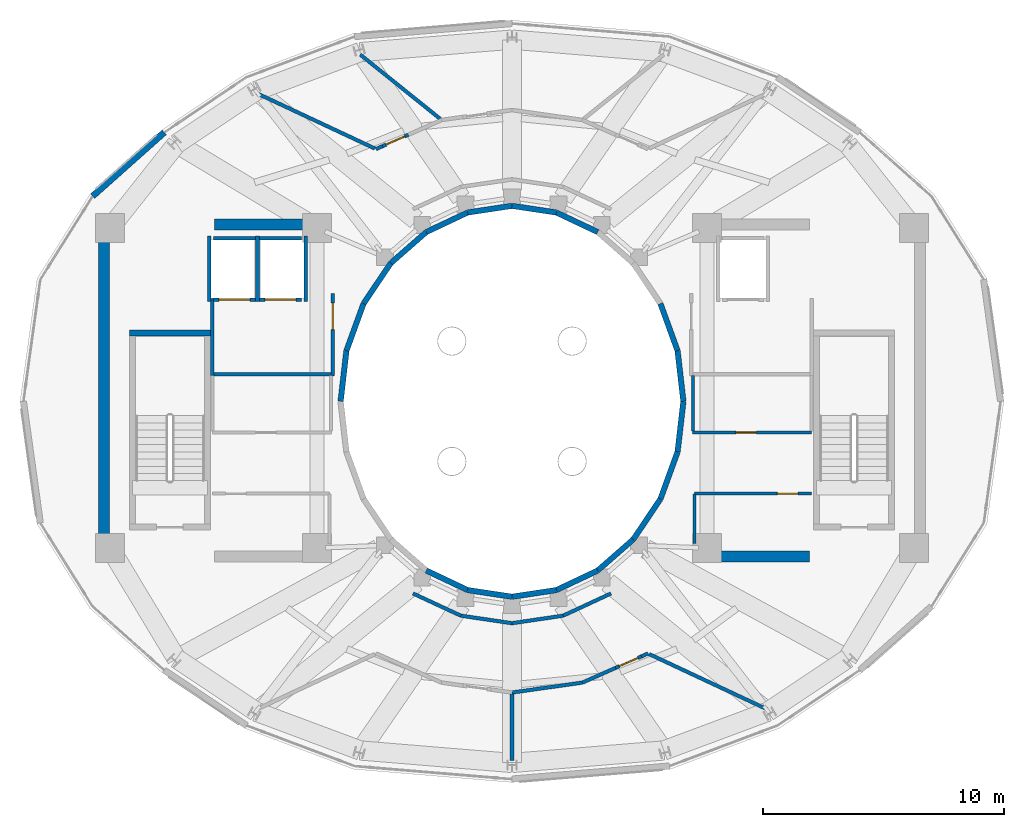
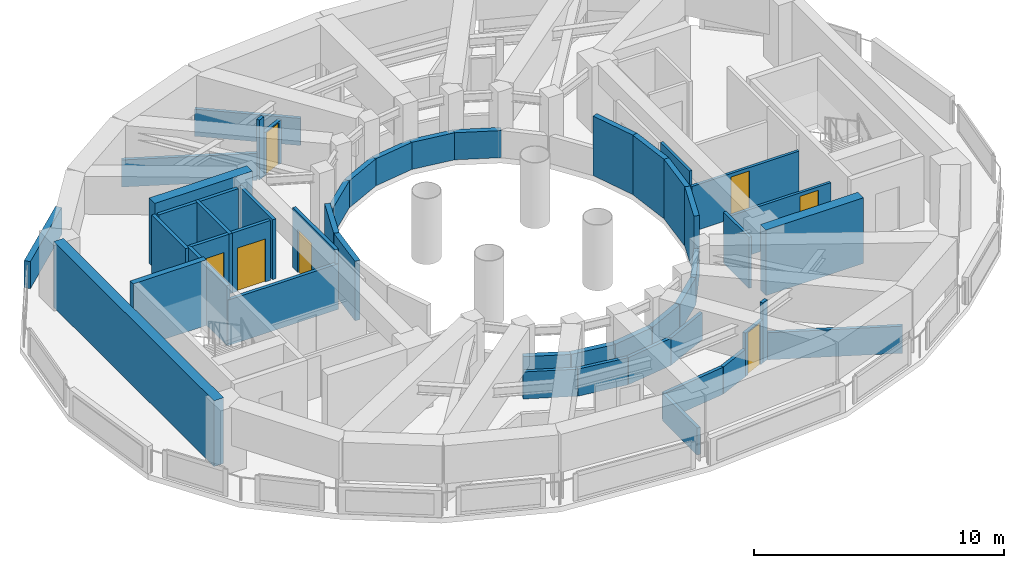
# One storey, part 13 of 17: 51 walls, 7 doors, 7 openings.
"""IFC4 building model written with IfcOpenShell, lengths in metres."""

from ifc_helpers import new_model, si_unit, direction, frame, frame_2d, origin, place, context, subcontext, project, spatial, rectangle, extrude, material, layer, layer_set, type_object, element, fill, save


model = new_model("IFC4")

# Units and contexts
model_context = context("Model", 3, precision=1e-05, world=origin(), true_north=direction((0.0, 1.0)))
body_context = subcontext(model_context, "Body", "Model", "MODEL_VIEW")
ifc_project = project(units=[si_unit("LENGTHUNIT", "METRE"), si_unit("AREAUNIT", "SQUARE_METRE"), si_unit("VOLUMEUNIT", "CUBIC_METRE"), si_unit("PLANEANGLEUNIT", "RADIAN"), si_unit("MASSUNIT", "GRAM", prefix="KILO")], contexts=[model_context])

# Site, building, storey
site_placement = place(None, origin())
site = spatial("IfcSite", under=ifc_project, at=site_placement, CompositionType="ELEMENT")
building_placement = place(site_placement, origin())
building = spatial("IfcBuilding", under=site, at=building_placement, Name="Solvane Sanctuary Tower", CompositionType="ELEMENT")
storey_placement = place(building_placement, frame((0.0, 0.0, 273.199951171875)))
storey = spatial("IfcBuildingStorey", under=building, at=storey_placement, Name="L83", CompositionType="ELEMENT", Elevation=273.199951171875)

# Walls
ifc_material_1 = material(Name="Concrete C50/60", Category="concrete")
ifc_layer_1 = layer(ifc_material_1, 0.449951171875, Name="Concrete C50/60")
ifc_layer_set_1 = layer_set([ifc_layer_1], Name="Concrete C50/60")
wall_type_1 = type_object("IfcWallType", Name="Wall W-CORE-450", PredefinedType="SHEAR", material=ifc_layer_set_1)
wall_1_placement = place(storey_placement, frame((15.050048828125, 17.050048828125, 0.0), z_axis=(0.0, 0.0, 1.0), x_axis=(0.0, 1.0, 0.0)))
element("IfcWall", 1, at=wall_1_placement, inside=storey, type_object=wall_type_1, Name="L83 Core Shear Wall WC-W", PredefinedType="SHEAR", context=body_context, shape_type="SweptSolid", body=[
    extrude(rectangle(XDim=12.800048828125, YDim=0.449951171875, at=frame_2d((6.39990234375, 0.0))), origin(), (0.0, 0.0, 1.0), 3.199951171875),
])
for number, where, z_axis, x_axis, name in (
    (2, (19.64990234375, 30.35009765625, 0.0), (0.0, 0.0, 1.0), (1.0, 0.0, 0.0), "L83 Core Shear Wall WC-N"),
    (3, (39.85009765625, 16.550048828125, 0.0), (0.0, 0.0, 1.0), (1.0, 0.0, 0.0), "L83 Core Shear Wall EC-S"),
):
    element("IfcWall", number, at=place(storey_placement, frame(where, z_axis=z_axis, x_axis=x_axis)), inside=storey, type_object=wall_type_1, Name=name, PredefinedType="SHEAR", context=body_context, shape_type="SweptSolid", body=[
        extrude(rectangle(XDim=4.5, YDim=0.449951171875, at=frame_2d((2.25, 0.0))), origin(), (0.0, 0.0, 1.0), 3.199951171875),
    ])
ifc_material_2 = material(Name="Acoustic Gypsum Partition Board")
ifc_layer_2 = layer(ifc_material_2, 0.14990234375, Name="Acoustic Gypsum Partition Board")
ifc_layer_set_2 = layer_set([ifc_layer_2], Name="Acoustic Gypsum Partition Board")
wall_type_2 = type_object("IfcWallType", Name="Wall W-CORR-150", PredefinedType="PARTITIONING", material=ifc_layer_set_2)
wall_2_placement = place(storey_placement, frame((19.52001953125, 24.1201171875, 0.0), z_axis=(0.0, 0.0, 1.0), x_axis=(1.0, 0.0, 0.0)))
element("IfcWall", 4, at=wall_2_placement, inside=storey, type_object=wall_type_2, Name="L83 West Firefighting Lobby South Wall", PredefinedType="PARTITIONING", context=body_context, shape_type="SweptSolid", body=[
    extrude(rectangle(XDim=5.080078125, YDim=0.14990234375, at=frame_2d((2.5400390625, 0.0))), origin(), (0.0, 0.0, 1.0), 2.219970703125),
])
wall_3_placement = place(storey_placement, frame((19.550048828125, 24.080078125, 0.0), z_axis=(0.0, 0.0, 1.0), x_axis=(0.0, 1.0, 0.0)))
element("IfcWall", 5, at=wall_3_placement, inside=storey, type_object=wall_type_2, Name="L83 West Firefighting Lobby West Wall", PredefinedType="PARTITIONING", context=body_context, shape_type="SweptSolid", body=[
    extrude(rectangle(XDim=3.199951171875, YDim=0.14990234375, at=frame_2d((1.60009765625, 0.0))), origin(), (0.0, 0.0, 1.0), 2.9150390625),
])

# Wall, opening, door
wall_4_placement = place(storey_placement, frame((24.550048828125, 24.080078125, 0.0), z_axis=(0.0, 0.0, 1.0), x_axis=(0.0, 1.0, 0.0)))
wall_4 = element("IfcWall", 6, at=wall_4_placement, inside=storey, type_object=wall_type_2, Name="L83 West Firefighting Lobby East Wall", PredefinedType="PARTITIONING", context=body_context, shape_type="SweptSolid", body=[
    extrude(rectangle(XDim=3.39990234375, YDim=0.14990234375, at=frame_2d((1.699951171875, 0.0))), origin(), (0.0, 0.0, 1.0), 2.9150390625),
])
opening_1_placement = place(wall_4_placement, frame((1.893798828125, 0.0, 0.0)))
opening_1 = element("IfcOpeningElement", 7, at=opening_1_placement, cuts=wall_4, Name="Opening D-L83-03", PredefinedType="OPENING", context=body_context, shape_type="SweptSolid", body=[
    extrude(rectangle(XDim=1.10009765625, YDim=2.10009765625, at=frame_2d((0.550048828125, 1.050048828125))), frame((0.0, 0.0849609375, 0.0), z_axis=(0.0, -1.0, 0.0), x_axis=(1.0, 0.0, 0.0)), (0.0, 0.0, 1.0), 0.169921875),
])
ifc_material_3 = material(Name="Architectural Stainless Steel 316", Category="steel")
door_type_1 = type_object("IfcDoorType", Name="Door D-FFL", OperationType="NOTDEFINED", PredefinedType="DOOR", material=ifc_material_3)
door_1_placement = place(opening_1_placement, origin())
door_1 = element("IfcDoor", 8, at=door_1_placement, inside=storey, type_object=door_type_1, Name="L83 West Firefighting Lobby Fire Door", OperationType="SINGLE_SWING_LEFT", OverallHeight=2.10009765625, OverallWidth=1.10009765625, PredefinedType="DOOR", context=body_context, shape_type="SweptSolid", body=[
    extrude(rectangle(XDim=1.10009765625, YDim=2.10009765625, at=frame_2d((0.550048828125, 1.050048828125))), frame((0.0, 0.02490234375, 0.0), z_axis=(0.0, -1.0, 0.0), x_axis=(1.0, 0.0, 0.0)), (0.0, 0.0, 1.0), 0.050048828125),
])
fill(opening_1, door_1)

# Walls
wall_5_placement = place(storey_placement, frame((27.889892578125, 15.01513671875, 0.0), z_axis=(0.0, 0.0, 1.0), x_axis=(0.906943449489, -0.421252393975, 0.0)))
element("IfcWall", 9, at=wall_5_placement, inside=storey, type_object=wall_type_2, Name="L83 Light-Well Corridor Rim Wall S1", PredefinedType="PARTITIONING", context=body_context, shape_type="SweptSolid", body=[
    extrude(rectangle(XDim=2.18603515625, YDim=0.14990234375, at=frame_2d((1.093017578125, 0.0))), origin(), (0.0, 0.0, 1.0), 1.320068359375),
])
for number, where, z_axis, x_axis, name in (
    (10, (29.87255859375, 14.09423828125, 0.0), (0.0, 0.0, 1.0), (0.989268584896, -0.146108408166, 0.0), "L83 Light-Well Corridor Rim Wall S2"),
    (11, (32.0, 13.780029296875, 0.0), (0.0, 0.0, 1.0), (0.989268584896, 0.146108408166, 0.0), "L83 Light-Well Corridor Rim Wall S3"),
):
    element("IfcWall", number, at=place(storey_placement, frame(where, z_axis=z_axis, x_axis=x_axis)), inside=storey, type_object=wall_type_2, Name=name, PredefinedType="PARTITIONING", context=body_context, shape_type="SweptSolid", body=[
        extrude(rectangle(XDim=2.150634765625, YDim=0.14990234375, at=frame_2d((1.0751953125, 0.0))), origin(), (0.0, 0.0, 1.0), 1.320068359375),
    ])
wall_6_placement = place(storey_placement, frame((34.12744140625, 14.09423828125, 0.0), z_axis=(0.0, 0.0, 1.0), x_axis=(0.906943449489, 0.421252393975, 0.0)))
element("IfcWall", 12, at=wall_6_placement, inside=storey, type_object=wall_type_2, Name="L83 Light-Well Corridor Rim Wall S4", PredefinedType="PARTITIONING", context=body_context, shape_type="SweptSolid", body=[
    extrude(rectangle(XDim=2.18603515625, YDim=0.14990234375, at=frame_2d((1.093017578125, 0.0))), origin(), (0.0, 0.0, 1.0), 1.320068359375),
])
wall_7_placement = place(storey_placement, frame((29.032470703125, 34.72216796875, 0.0), z_axis=(0.0, 0.0, 1.0), x_axis=(-0.779602997629, 0.62627403434, 0.0)))
element("IfcWall", 13, at=wall_7_placement, inside=storey, type_object=wall_type_2, Name="L83 Mechanical Plant Radial Wall 105", PredefinedType="PARTITIONING", context=body_context, shape_type="SweptSolid", body=[
    extrude(rectangle(XDim=4.27685546875, YDim=0.14990234375, at=frame_2d((2.138427734375, 0.0))), origin(), (0.0, 0.0, 1.0), 1.320068359375),
])
wall_8_placement = place(storey_placement, frame((26.30029296875, 33.502197265625, 0.0), z_axis=(0.0, 0.0, 1.0), x_axis=(-0.90567955352, 0.423962906793, 0.0)))
element("IfcWall", 14, at=wall_8_placement, inside=storey, type_object=wall_type_2, Name="L83 Mechanical Plant Radial Wall 120", PredefinedType="PARTITIONING", context=body_context, shape_type="SweptSolid", body=[
    extrude(rectangle(XDim=5.41943359375, YDim=0.14990234375, at=frame_2d((2.709716796875, 0.0))), origin(), (0.0, 0.0, 1.0), 1.320068359375),
])
wall_9_placement = place(storey_placement, frame((32.0, 10.844970703125, 0.0), z_axis=(0.0, 0.0, 1.0), x_axis=(0.0, -1.0, 0.0)))
element("IfcWall", 15, at=wall_9_placement, inside=storey, type_object=wall_type_2, Name="L83 Mechanical Plant Radial Wall 270", PredefinedType="PARTITIONING", context=body_context, shape_type="SweptSolid", body=[
    extrude(rectangle(XDim=2.760986328125, YDim=0.14990234375, at=frame_2d((1.38037109375, 0.0))), origin(), (0.0, 0.0, 1.0), 1.320068359375),
])
wall_10_placement = place(storey_placement, frame((37.69970703125, 12.497802734375, 0.0), z_axis=(0.0, 0.0, 1.0), x_axis=(0.90567955352, -0.423962906793, 0.0)))
element("IfcWall", 16, at=wall_10_placement, inside=storey, type_object=wall_type_2, Name="L83 Mechanical Plant Radial Wall 300", PredefinedType="PARTITIONING", context=body_context, shape_type="SweptSolid", body=[
    extrude(rectangle(XDim=5.41943359375, YDim=0.14990234375, at=frame_2d((2.709716796875, 0.0))), origin(), (0.0, 0.0, 1.0), 1.320068359375),
])

# Wall, opening, door
wall_11_placement = place(storey_placement, frame((27.693115234375, 34.073486328125, 0.0), z_axis=(0.0, 0.0, 1.0), x_axis=(-0.91409532601, -0.40549936494, 0.0)))
wall_11 = element("IfcWall", 17, at=wall_11_placement, inside=storey, type_object=wall_type_2, Name="L83 Plant Corridor Wall 3", PredefinedType="PARTITIONING", context=body_context, shape_type="SweptSolid", body=[
    extrude(rectangle(XDim=1.169921875, YDim=0.14990234375, at=frame_2d((0.5849609375, 0.0))), origin(), (0.0, 0.0, 1.0), 2.110107421875),
])
opening_2_placement = place(wall_11_placement, frame((0.159912109375, 0.0, 0.0)))
opening_2 = element("IfcOpeningElement", 18, at=opening_2_placement, cuts=wall_11, Name="Opening D-L83-11", PredefinedType="OPENING", context=body_context, shape_type="SweptSolid", body=[
    extrude(rectangle(XDim=0.85009765625, YDim=2.050048828125, at=frame_2d((0.425048828125, 1.02490234375))), frame((0.0, 0.0849609375, 0.0), z_axis=(0.0, -1.0, 0.0), x_axis=(1.0, 0.0, 0.0)), (0.0, 0.0, 1.0), 0.169921875),
])
door_type_2 = type_object("IfcDoorType", Name="Door D-RISER", OperationType="NOTDEFINED", PredefinedType="DOOR", material=ifc_material_3)
door_2_placement = place(opening_2_placement, origin())
door_2 = element("IfcDoor", 19, at=door_2_placement, inside=storey, type_object=door_type_2, Name="L83 Plant Room Door 3", OperationType="SINGLE_SWING_LEFT", OverallHeight=2.050048828125, OverallWidth=0.85009765625, PredefinedType="DOOR", context=body_context, shape_type="SweptSolid", body=[
    extrude(rectangle(XDim=0.85009765625, YDim=2.050048828125, at=frame_2d((0.425048828125, 1.02490234375))), frame((0.0, 0.02490234375, 0.0), z_axis=(0.0, -1.0, 0.0), x_axis=(1.0, 0.0, 0.0)), (0.0, 0.0, 1.0), 0.050048828125),
])
fill(opening_2, door_2)

# Walls
wall_12_placement = place(storey_placement, frame((26.623779296875, 33.59912109375, 0.0), z_axis=(0.0, 0.0, 1.0), x_axis=(-0.914008261485, -0.405695572983, 0.0)))
element("IfcWall", 20, at=wall_12_placement, inside=storey, type_object=wall_type_2, Name="L83 Plant Corridor Wall 3", PredefinedType="PARTITIONING", context=body_context, shape_type="SweptSolid", body=[
    extrude(rectangle(XDim=0.306884765625, YDim=0.14990234375, at=frame_2d((0.1533203125, 0.0))), origin(), (0.0, 0.0, 1.0), 2.9150390625),
])
wall_13_placement = place(storey_placement, frame((31.9921875, 10.89990234375, 0.0), z_axis=(0.0, 0.0, 1.0), x_axis=(0.990247167887, 0.139321737324, 0.0)))
element("IfcWall", 21, at=wall_13_placement, inside=storey, type_object=wall_type_2, Name="L83 Plant Corridor Wall 5", PredefinedType="PARTITIONING", context=body_context, shape_type="SweptSolid", body=[
    extrude(rectangle(XDim=2.963134765625, YDim=0.14990234375, at=frame_2d((1.4814453125, 0.0))), origin(), (0.0, 0.0, 1.0), 1.320068359375),
])
wall_14_placement = place(storey_placement, frame((34.9228515625, 11.311767578125, 0.0), z_axis=(0.0, 0.0, 1.0), x_axis=(0.914037268574, 0.405630215416, 0.0)))
element("IfcWall", 22, at=wall_14_placement, inside=storey, type_object=wall_type_2, Name="L83 Plant Corridor Wall 5", PredefinedType="PARTITIONING", context=body_context, shape_type="SweptSolid", body=[
    extrude(rectangle(XDim=1.515625, YDim=0.14990234375, at=frame_2d((0.7578125, 0.0))), origin(), (0.0, 0.0, 1.0), 1.320068359375),
])

# Wall, opening, door
wall_15_placement = place(storey_placement, frame((36.30810546875, 11.926513671875, 0.0), z_axis=(0.0, 0.0, 1.0), x_axis=(0.913940571896, 0.405848039347, 0.0)))
wall_15 = element("IfcWall", 23, at=wall_15_placement, inside=storey, type_object=wall_type_2, Name="L83 Plant Corridor Wall 5", PredefinedType="PARTITIONING", context=body_context, shape_type="SweptSolid", body=[
    extrude(rectangle(XDim=1.169921875, YDim=0.14990234375, at=frame_2d((0.5849609375, 0.0))), origin(), (0.0, 0.0, 1.0), 2.110107421875),
])
opening_3_placement = place(wall_15_placement, frame((0.159912109375, 0.0, 0.0)))
opening_3 = element("IfcOpeningElement", 24, at=opening_3_placement, cuts=wall_15, Name="Opening D-L83-13", PredefinedType="OPENING", context=body_context, shape_type="SweptSolid", body=[
    extrude(rectangle(XDim=0.85009765625, YDim=2.050048828125, at=frame_2d((0.425048828125, 1.02490234375))), frame((0.0, 0.0849609375, 0.0), z_axis=(0.0, -1.0, 0.0), x_axis=(1.0, 0.0, 0.0)), (0.0, 0.0, 1.0), 0.169921875),
])
door_3_placement = place(opening_3_placement, origin())
door_3 = element("IfcDoor", 25, at=door_3_placement, inside=storey, type_object=door_type_2, Name="L83 Plant Room Door 5", OperationType="SINGLE_SWING_LEFT", OverallHeight=2.050048828125, OverallWidth=0.85009765625, PredefinedType="DOOR", context=body_context, shape_type="SweptSolid", body=[
    extrude(rectangle(XDim=0.85009765625, YDim=2.050048828125, at=frame_2d((0.425048828125, 1.02490234375))), frame((0.0, 0.02490234375, 0.0), z_axis=(0.0, -1.0, 0.0), x_axis=(1.0, 0.0, 0.0)), (0.0, 0.0, 1.0), 0.050048828125),
])
fill(opening_3, door_3)

# Walls
wall_16_placement = place(storey_placement, frame((37.37744140625, 12.4013671875, 0.0), z_axis=(0.0, 0.0, 1.0), x_axis=(0.91394327808, 0.405841945161, 0.0)))
element("IfcWall", 26, at=wall_16_placement, inside=storey, type_object=wall_type_2, Name="L83 Plant Corridor Wall 5", PredefinedType="PARTITIONING", context=body_context, shape_type="SweptSolid", body=[
    extrude(rectangle(XDim=0.3056640625, YDim=0.14990234375, at=frame_2d((0.15283203125, 0.0))), origin(), (0.0, 0.0, 1.0), 2.9150390625),
])
ifc_material_4 = material(Name="Precast concrete C40/50", Category="concrete")
ifc_layer_3 = layer(ifc_material_4, 0.260009765625, Name="Precast concrete C40/50")
ifc_layer_set_3 = layer_set([ifc_layer_3], Name="Precast concrete C40/50")
wall_type_3 = type_object("IfcWallType", Name="Wall W-EXT-250", PredefinedType="STANDARD", material=ifc_layer_set_3)
wall_17_placement = place(storey_placement, frame((17.552490234375, 34.1708984375, 0.0), z_axis=(0.0, 0.0, 1.0), x_axis=(-0.746928837667, -0.664903986649, 0.0)))
element("IfcWall", 27, at=wall_17_placement, inside=storey, type_object=wall_type_3, Name="L83 Crown Acoustic Louvred Wall 09", PredefinedType="STANDARD", context=body_context, shape_type="SweptSolid", body=[
    extrude(rectangle(XDim=3.982421875, YDim=0.260009765625, at=frame_2d((1.9912109375, 0.0))), origin(), (0.0, 0.0, 1.0), 1.320068359375),
])
ifc_layer_4 = layer(ifc_material_4, 0.22998046875, Name="Precast concrete C40/50")
ifc_layer_set_4 = layer_set([ifc_layer_4], Name="Precast concrete C40/50")
wall_type_4 = type_object("IfcWallType", Name="Wall W-EXT-SP220", PredefinedType="STANDARD", material=ifc_layer_set_4)
wall_18_placement = place(storey_placement, frame((39.1201171875, 23.0, 0.0), z_axis=(0.0, 0.0, 1.0), x_axis=(-0.114711713601, 0.993398823617, 0.0)))
element("IfcWall", 28, at=wall_18_placement, inside=storey, type_object=wall_type_4, Name="L83 Central Light-Well Wall 00", PredefinedType="STANDARD", context=body_context, shape_type="SweptSolid", body=[
    extrude(rectangle(XDim=2.115478515625, YDim=0.22998046875, at=frame_2d((1.0576171875, 0.0))), origin(), (0.0, 0.0, 1.0), 2.900146484375),
])
wall_19_placement = place(storey_placement, frame((38.87744140625, 25.1015625, 0.0), z_axis=(0.0, 0.0, 1.0), x_axis=(-0.341423187295, 0.93990968033, 0.0)))
element("IfcWall", 29, at=wall_19_placement, inside=storey, type_object=wall_type_4, Name="L83 Central Light-Well Wall 01", PredefinedType="STANDARD", context=body_context, shape_type="SweptSolid", body=[
    extrude(rectangle(XDim=2.083740234375, YDim=0.22998046875, at=frame_2d((1.0419921875, 0.0))), origin(), (0.0, 0.0, 1.0), 2.900146484375),
])
wall_20_placement = place(storey_placement, frame((35.56005859375, 30.031982421875, 0.0), z_axis=(0.0, 0.0, 1.0), x_axis=(-0.904179699603, 0.427152280606, 0.0)))
element("IfcWall", 30, at=wall_20_placement, inside=storey, type_object=wall_type_4, Name="L83 Central Light-Well Wall 04", PredefinedType="STANDARD", context=body_context, shape_type="SweptSolid", body=[
    extrude(rectangle(XDim=1.899169921875, YDim=0.22998046875, at=frame_2d((0.94970703125, 0.0))), origin(), (0.0, 0.0, 1.0), 1.320068359375),
])
for number, where, z_axis, x_axis, name in (
    (31, (33.8427734375, 30.84326171875, 0.0), (0.0, 0.0, 1.0), (-0.988901730308, 0.148571086668, 0.0), "L83 Central Light-Well Wall 05"),
    (32, (32.0, 31.1201171875, 0.0), (0.0, 0.0, 1.0), (-0.988901730308, -0.148571086668, 0.0), "L83 Central Light-Well Wall 06"),
):
    element("IfcWall", number, at=place(storey_placement, frame(where, z_axis=z_axis, x_axis=x_axis)), inside=storey, type_object=wall_type_4, Name=name, PredefinedType="STANDARD", context=body_context, shape_type="SweptSolid", body=[
        extrude(rectangle(XDim=1.863525390625, YDim=0.22998046875, at=frame_2d((0.931640625, 0.0))), origin(), (0.0, 0.0, 1.0), 1.320068359375),
    ])
wall_21_placement = place(storey_placement, frame((30.1572265625, 30.84326171875, 0.0), z_axis=(0.0, 0.0, 1.0), x_axis=(-0.904179699603, -0.427152280606, 0.0)))
element("IfcWall", 33, at=wall_21_placement, inside=storey, type_object=wall_type_4, Name="L83 Central Light-Well Wall 07", PredefinedType="STANDARD", context=body_context, shape_type="SweptSolid", body=[
    extrude(rectangle(XDim=1.899169921875, YDim=0.22998046875, at=frame_2d((0.94970703125, 0.0))), origin(), (0.0, 0.0, 1.0), 1.320068359375),
])
wall_22_placement = place(storey_placement, frame((28.43994140625, 30.031982421875, 0.0), z_axis=(0.0, 0.0, 1.0), x_axis=(-0.752576694707, -0.658504607869, 0.0)))
element("IfcWall", 34, at=wall_22_placement, inside=storey, type_object=wall_type_4, Name="L83 Central Light-Well Wall 08", PredefinedType="STANDARD", context=body_context, shape_type="SweptSolid", body=[
    extrude(rectangle(XDim=1.95947265625, YDim=0.22998046875, at=frame_2d((0.979736328125, 0.0))), origin(), (0.0, 0.0, 1.0), 1.320068359375),
])
wall_23_placement = place(storey_placement, frame((26.96533203125, 28.74169921875, 0.0), z_axis=(0.0, 0.0, 1.0), x_axis=(-0.558197800898, -0.829707909492, 0.0)))
element("IfcWall", 35, at=wall_23_placement, inside=storey, type_object=wall_type_4, Name="L83 Central Light-Well Wall 09", PredefinedType="STANDARD", context=body_context, shape_type="SweptSolid", body=[
    extrude(rectangle(XDim=2.02685546875, YDim=0.22998046875, at=frame_2d((1.013427734375, 0.0))), origin(), (0.0, 0.0, 1.0), 1.320068359375),
])
wall_24_placement = place(storey_placement, frame((25.833984375, 27.06005859375, 0.0), z_axis=(0.0, 0.0, 1.0), x_axis=(-0.341423187295, -0.93990968033, 0.0)))
element("IfcWall", 36, at=wall_24_placement, inside=storey, type_object=wall_type_4, Name="L83 Central Light-Well Wall 10", PredefinedType="STANDARD", context=body_context, shape_type="SweptSolid", body=[
    extrude(rectangle(XDim=2.083740234375, YDim=0.22998046875, at=frame_2d((1.0419921875, 0.0))), origin(), (0.0, 0.0, 1.0), 2.900146484375),
])
wall_25_placement = place(storey_placement, frame((25.12255859375, 25.1015625, 0.0), z_axis=(0.0, 0.0, 1.0), x_axis=(-0.114711713601, -0.993398823617, 0.0)))
element("IfcWall", 37, at=wall_25_placement, inside=storey, type_object=wall_type_4, Name="L83 Central Light-Well Wall 11", PredefinedType="STANDARD", context=body_context, shape_type="SweptSolid", body=[
    extrude(rectangle(XDim=2.115478515625, YDim=0.22998046875, at=frame_2d((1.0576171875, 0.0))), origin(), (0.0, 0.0, 1.0), 2.900146484375),
])
wall_26_placement = place(storey_placement, frame((28.43994140625, 15.968017578125, 0.0), z_axis=(0.0, 0.0, 1.0), x_axis=(0.904179699603, -0.427152280606, 0.0)))
element("IfcWall", 38, at=wall_26_placement, inside=storey, type_object=wall_type_4, Name="L83 Central Light-Well Wall 16", PredefinedType="STANDARD", context=body_context, shape_type="SweptSolid", body=[
    extrude(rectangle(XDim=1.899169921875, YDim=0.22998046875, at=frame_2d((0.94970703125, 0.0))), origin(), (0.0, 0.0, 1.0), 1.320068359375),
])
for number, where, z_axis, x_axis, name in (
    (39, (30.1572265625, 15.15673828125, 0.0), (0.0, 0.0, 1.0), (0.988901730308, -0.148571086668, 0.0), "L83 Central Light-Well Wall 17"),
    (40, (32.0, 14.8798828125, 0.0), (0.0, 0.0, 1.0), (0.988901730308, 0.148571086668, 0.0), "L83 Central Light-Well Wall 18"),
):
    element("IfcWall", number, at=place(storey_placement, frame(where, z_axis=z_axis, x_axis=x_axis)), inside=storey, type_object=wall_type_4, Name=name, PredefinedType="STANDARD", context=body_context, shape_type="SweptSolid", body=[
        extrude(rectangle(XDim=1.863525390625, YDim=0.22998046875, at=frame_2d((0.931640625, 0.0))), origin(), (0.0, 0.0, 1.0), 1.320068359375),
    ])
wall_27_placement = place(storey_placement, frame((33.8427734375, 15.15673828125, 0.0), z_axis=(0.0, 0.0, 1.0), x_axis=(0.904179699603, 0.427152280606, 0.0)))
element("IfcWall", 41, at=wall_27_placement, inside=storey, type_object=wall_type_4, Name="L83 Central Light-Well Wall 19", PredefinedType="STANDARD", context=body_context, shape_type="SweptSolid", body=[
    extrude(rectangle(XDim=1.899169921875, YDim=0.22998046875, at=frame_2d((0.94970703125, 0.0))), origin(), (0.0, 0.0, 1.0), 1.320068359375),
])
wall_28_placement = place(storey_placement, frame((35.56005859375, 15.968017578125, 0.0), z_axis=(0.0, 0.0, 1.0), x_axis=(0.752576694707, 0.658504607869, 0.0)))
element("IfcWall", 42, at=wall_28_placement, inside=storey, type_object=wall_type_4, Name="L83 Central Light-Well Wall 20", PredefinedType="STANDARD", context=body_context, shape_type="SweptSolid", body=[
    extrude(rectangle(XDim=1.95947265625, YDim=0.22998046875, at=frame_2d((0.979736328125, 0.0))), origin(), (0.0, 0.0, 1.0), 1.320068359375),
])
wall_29_placement = place(storey_placement, frame((37.03466796875, 17.25830078125, 0.0), z_axis=(0.0, 0.0, 1.0), x_axis=(0.558197800898, 0.829707909492, 0.0)))
element("IfcWall", 43, at=wall_29_placement, inside=storey, type_object=wall_type_4, Name="L83 Central Light-Well Wall 21", PredefinedType="STANDARD", context=body_context, shape_type="SweptSolid", body=[
    extrude(rectangle(XDim=2.02685546875, YDim=0.22998046875, at=frame_2d((1.013427734375, 0.0))), origin(), (0.0, 0.0, 1.0), 1.320068359375),
])
wall_30_placement = place(storey_placement, frame((38.166015625, 18.93994140625, 0.0), z_axis=(0.0, 0.0, 1.0), x_axis=(0.341423187295, 0.93990968033, 0.0)))
element("IfcWall", 44, at=wall_30_placement, inside=storey, type_object=wall_type_4, Name="L83 Central Light-Well Wall 22", PredefinedType="STANDARD", context=body_context, shape_type="SweptSolid", body=[
    extrude(rectangle(XDim=2.083740234375, YDim=0.22998046875, at=frame_2d((1.0419921875, 0.0))), origin(), (0.0, 0.0, 1.0), 2.900146484375),
])
wall_31_placement = place(storey_placement, frame((38.87744140625, 20.8984375, 0.0), z_axis=(0.0, 0.0, 1.0), x_axis=(0.114711713601, 0.993398823617, 0.0)))
element("IfcWall", 45, at=wall_31_placement, inside=storey, type_object=wall_type_4, Name="L83 Central Light-Well Wall 23", PredefinedType="STANDARD", context=body_context, shape_type="SweptSolid", body=[
    extrude(rectangle(XDim=2.115478515625, YDim=0.22998046875, at=frame_2d((1.0576171875, 0.0))), origin(), (0.0, 0.0, 1.0), 2.900146484375),
])

# Wall, opening, door
ifc_layer_5 = layer(ifc_material_2, 0.125, Name="Acoustic Gypsum Partition Board")
ifc_layer_set_5 = layer_set([ifc_layer_5], Name="Acoustic Gypsum Partition Board")
wall_type_5 = type_object("IfcWallType", Name="Wall W-PART-125", PredefinedType="PARTITIONING", material=ifc_layer_set_5)
wall_32_placement = place(storey_placement, frame((39.580078125, 19.159912109375, 0.0), z_axis=(0.0, 0.0, 1.0), x_axis=(1.0, 0.0, 0.0)))
wall_32 = element("IfcWall", 46, at=wall_32_placement, inside=storey, type_object=wall_type_5, Name="L83 Reclaimed Room Partition PLE", PredefinedType="PARTITIONING", context=body_context, shape_type="SweptSolid", body=[
    extrude(rectangle(XDim=4.869873046875, YDim=0.125, at=frame_2d((2.43505859375, 0.0))), origin(), (0.0, 0.0, 1.0), 2.219970703125),
])
opening_4_placement = place(wall_32_placement, frame((3.449951171875, 0.0, 0.0)))
opening_4 = element("IfcOpeningElement", 47, at=opening_4_placement, cuts=wall_32, Name="Opening D-L83-06", PredefinedType="OPENING", context=body_context, shape_type="SweptSolid", body=[
    extrude(rectangle(XDim=0.85009765625, YDim=2.050048828125, at=frame_2d((0.425048828125, 1.02490234375))), frame((0.0, 0.072509765625, 0.0), z_axis=(0.0, -1.0, 0.0), x_axis=(1.0, 0.0, 0.0)), (0.0, 0.0, 1.0), 0.14501953125),
])
door_4_placement = place(opening_4_placement, origin())
door_4 = element("IfcDoor", 48, at=door_4_placement, inside=storey, type_object=door_type_2, Name="L83 Reclaimed Room Door PLE-1", OperationType="SINGLE_SWING_RIGHT", OverallHeight=2.050048828125, OverallWidth=0.85009765625, PredefinedType="DOOR", context=body_context, shape_type="SweptSolid", body=[
    extrude(rectangle(XDim=0.85009765625, YDim=2.050048828125, at=frame_2d((0.425048828125, 1.02490234375))), frame((0.0, 0.02490234375, 0.0), z_axis=(0.0, -1.0, 0.0), x_axis=(1.0, 0.0, 0.0)), (0.0, 0.0, 1.0), 0.050048828125),
])
fill(opening_4, door_4)

# Wall
wall_33_placement = place(storey_placement, frame((39.580078125, 17.10009765625, 0.0), z_axis=(0.0, 0.0, 1.0), x_axis=(0.0, 1.0, 0.0)))
element("IfcWall", 49, at=wall_33_placement, inside=storey, type_object=wall_type_5, Name="L83 Reclaimed Room Closer Wall PLE-1", PredefinedType="PARTITIONING", context=body_context, shape_type="SweptSolid", body=[
    extrude(rectangle(XDim=2.039794921875, YDim=0.125, at=frame_2d((1.02001953125, 0.0))), origin(), (0.0, 0.0, 1.0), 2.490966796875),
])

# Wall, opening, door
wall_34_placement = place(storey_placement, frame((39.5, 21.699951171875, 0.0), z_axis=(0.0, 0.0, 1.0), x_axis=(1.0, 0.0, 0.0)))
wall_34 = element("IfcWall", 50, at=wall_34_placement, inside=storey, type_object=wall_type_5, Name="L83 Reclaimed Room Partition PME", PredefinedType="PARTITIONING", context=body_context, shape_type="SweptSolid", body=[
    extrude(rectangle(XDim=4.949951171875, YDim=0.125, at=frame_2d((2.47509765625, 0.0))), origin(), (0.0, 0.0, 1.0), 2.219970703125),
])
opening_5_placement = place(wall_34_placement, frame((1.800048828125, 0.0, 0.0)))
opening_5 = element("IfcOpeningElement", 51, at=opening_5_placement, cuts=wall_34, Name="Opening D-L83-08", PredefinedType="OPENING", context=body_context, shape_type="SweptSolid", body=[
    extrude(rectangle(XDim=0.85009765625, YDim=2.050048828125, at=frame_2d((0.425048828125, 1.02490234375))), frame((0.0, 0.072509765625, 0.0), z_axis=(0.0, -1.0, 0.0), x_axis=(1.0, 0.0, 0.0)), (0.0, 0.0, 1.0), 0.14501953125),
])
door_5_placement = place(opening_5_placement, origin())
door_5 = element("IfcDoor", 52, at=door_5_placement, inside=storey, type_object=door_type_2, Name="L83 Reclaimed Room Door PME-1", OperationType="SINGLE_SWING_RIGHT", OverallHeight=2.050048828125, OverallWidth=0.85009765625, PredefinedType="DOOR", context=body_context, shape_type="SweptSolid", body=[
    extrude(rectangle(XDim=0.85009765625, YDim=2.050048828125, at=frame_2d((0.425048828125, 1.02490234375))), frame((0.0, 0.02490234375, 0.0), z_axis=(0.0, -1.0, 0.0), x_axis=(1.0, 0.0, 0.0)), (0.0, 0.0, 1.0), 0.050048828125),
])
fill(opening_5, door_5)

# Wall
wall_35_placement = place(storey_placement, frame((39.52001953125, 21.760009765625, 0.0), z_axis=(0.0, 0.0, 1.0), x_axis=(0.0, 1.0, 0.0)))
element("IfcWall", 53, at=wall_35_placement, inside=storey, type_object=wall_type_5, Name="L83 Reclaimed Room Closer Wall PME-1", PredefinedType="PARTITIONING", context=body_context, shape_type="SweptSolid", body=[
    extrude(rectangle(XDim=2.320068359375, YDim=0.125, at=frame_2d((1.16015625, 0.0))), origin(), (0.0, 0.0, 1.0), 2.9150390625),
])

# Wall, opening, door
ifc_layer_6 = layer(ifc_material_1, 0.14990234375, Name="Concrete C50/60")
ifc_layer_set_6 = layer_set([ifc_layer_6], Name="Concrete C50/60")
wall_type_6 = type_object("IfcWallType", Name="Wall W-SHAFT-150", PredefinedType="SOLIDWALL", material=ifc_layer_set_6)
wall_36_placement = place(storey_placement, frame((19.590087890625, 27.219970703125, 0.0), z_axis=(0.0, 0.0, 1.0), x_axis=(1.0, 0.0, 0.0)))
wall_36 = element("IfcWall", 54, at=wall_36_placement, inside=storey, type_object=wall_type_6, Name="L83 FFL-1 Lift Shaft Wall F", PredefinedType="SOLIDWALL", context=body_context, shape_type="SweptSolid", body=[
    extrude(rectangle(XDim=1.760009765625, YDim=0.14990234375, at=frame_2d((0.8798828125, 0.0))), origin(), (0.0, 0.0, 1.0), 2.9150390625),
])
opening_6_placement = place(wall_36_placement, frame((0.22998046875, 0.0, 0.0)))
opening_6 = element("IfcOpeningElement", 55, at=opening_6_placement, cuts=wall_36, Name="Opening LD-L83-01", PredefinedType="OPENING", context=body_context, shape_type="SweptSolid", body=[
    extrude(rectangle(XDim=1.300048828125, YDim=2.10009765625, at=frame_2d((0.64990234375, 1.050048828125))), frame((0.0, 0.0849609375, 0.0), z_axis=(0.0, -1.0, 0.0), x_axis=(1.0, 0.0, 0.0)), (0.0, 0.0, 1.0), 0.169921875),
])
door_type_3 = type_object("IfcDoorType", Name="Door LD-FFL-1300", OperationType="NOTDEFINED", PredefinedType="DOOR", material=ifc_material_3)
door_6_placement = place(opening_6_placement, origin())
door_6 = element("IfcDoor", 56, at=door_6_placement, inside=storey, type_object=door_type_3, Name="L83 FFL-1 Lift Landing Door", OperationType="DOUBLE_DOOR_SLIDING", OverallHeight=2.10009765625, OverallWidth=1.300048828125, PredefinedType="DOOR", context=body_context, shape_type="SweptSolid", body=[
    extrude(rectangle(XDim=1.300048828125, YDim=2.10009765625, at=frame_2d((0.64990234375, 1.050048828125))), frame((0.0, 0.02490234375, 0.0), z_axis=(0.0, -1.0, 0.0), x_axis=(1.0, 0.0, 0.0)), (0.0, 0.0, 1.0), 0.050048828125),
])
fill(opening_6, door_6)

# Walls
wall_37_placement = place(storey_placement, frame((19.590087890625, 29.780029296875, 0.0), z_axis=(0.0, 0.0, 1.0), x_axis=(1.0, 0.0, 0.0)))
element("IfcWall", 57, at=wall_37_placement, inside=storey, type_object=wall_type_6, Name="L83 FFL-1 Lift Shaft Wall B", PredefinedType="SOLIDWALL", context=body_context, shape_type="SweptSolid", body=[
    extrude(rectangle(XDim=1.760009765625, YDim=0.14990234375, at=frame_2d((0.8798828125, 0.0))), origin(), (0.0, 0.0, 1.0), 2.9150390625),
])
for number, where, z_axis, x_axis, name in (
    (58, (19.419921875, 27.139892578125, 0.0), (0.0, 0.0, 1.0), (0.0, 1.0, 0.0), "L83 FFL-1 Lift Shaft Wall S1"),
    (59, (21.425048828125, 27.139892578125, 0.0), (0.0, 0.0, 1.0), (0.0, 1.0, 0.0), "L83 FFL-1 Lift Shaft Wall S2"),
):
    element("IfcWall", number, at=place(storey_placement, frame(where, z_axis=z_axis, x_axis=x_axis)), inside=storey, type_object=wall_type_6, Name=name, PredefinedType="SOLIDWALL", context=body_context, shape_type="SweptSolid", body=[
        extrude(rectangle(XDim=2.72021484375, YDim=0.14990234375, at=frame_2d((1.360107421875, 0.0))), origin(), (0.0, 0.0, 1.0), 2.9150390625),
    ])

# Wall, opening, door
wall_38_placement = place(storey_placement, frame((21.5, 27.219970703125, 0.0), z_axis=(0.0, 0.0, 1.0), x_axis=(1.0, 0.0, 0.0)))
wall_38 = element("IfcWall", 60, at=wall_38_placement, inside=storey, type_object=wall_type_6, Name="L83 SVL-1 Lift Shaft Wall F", PredefinedType="SOLIDWALL", context=body_context, shape_type="SweptSolid", body=[
    extrude(rectangle(XDim=1.760009765625, YDim=0.14990234375, at=frame_2d((0.8798828125, 0.0))), origin(), (0.0, 0.0, 1.0), 2.9150390625),
])
opening_7_placement = place(wall_38_placement, frame((0.22998046875, 0.0, 0.0)))
opening_7 = element("IfcOpeningElement", 61, at=opening_7_placement, cuts=wall_38, Name="Opening LD-L83-02", PredefinedType="OPENING", context=body_context, shape_type="SweptSolid", body=[
    extrude(rectangle(XDim=1.300048828125, YDim=2.10009765625, at=frame_2d((0.64990234375, 1.050048828125))), frame((0.0, 0.0849609375, 0.0), z_axis=(0.0, -1.0, 0.0), x_axis=(1.0, 0.0, 0.0)), (0.0, 0.0, 1.0), 0.169921875),
])
door_7_placement = place(opening_7_placement, origin())
door_7 = element("IfcDoor", 62, at=door_7_placement, inside=storey, type_object=door_type_3, Name="L83 SVL-1 Lift Landing Door", OperationType="DOUBLE_DOOR_SLIDING", OverallHeight=2.10009765625, OverallWidth=1.300048828125, PredefinedType="DOOR", context=body_context, shape_type="SweptSolid", body=[
    extrude(rectangle(XDim=1.300048828125, YDim=2.10009765625, at=frame_2d((0.64990234375, 1.050048828125))), frame((0.0, 0.02490234375, 0.0), z_axis=(0.0, -1.0, 0.0), x_axis=(1.0, 0.0, 0.0)), (0.0, 0.0, 1.0), 0.050048828125),
])
fill(opening_7, door_7)

# Walls
wall_39_placement = place(storey_placement, frame((21.5, 29.780029296875, 0.0), z_axis=(0.0, 0.0, 1.0), x_axis=(1.0, 0.0, 0.0)))
element("IfcWall", 63, at=wall_39_placement, inside=storey, type_object=wall_type_6, Name="L83 SVL-1 Lift Shaft Wall B", PredefinedType="SOLIDWALL", context=body_context, shape_type="SweptSolid", body=[
    extrude(rectangle(XDim=1.760009765625, YDim=0.14990234375, at=frame_2d((0.8798828125, 0.0))), origin(), (0.0, 0.0, 1.0), 2.9150390625),
])
wall_40_placement = place(storey_placement, frame((23.429931640625, 27.139892578125, 0.0), z_axis=(0.0, 0.0, 1.0), x_axis=(0.0, 1.0, 0.0)))
element("IfcWall", 64, at=wall_40_placement, inside=storey, type_object=wall_type_6, Name="L83 SVL-1 Lift Shaft Wall S2", PredefinedType="SOLIDWALL", context=body_context, shape_type="SweptSolid", body=[
    extrude(rectangle(XDim=2.72021484375, YDim=0.14990234375, at=frame_2d((1.360107421875, 0.0))), origin(), (0.0, 0.0, 1.0), 2.9150390625),
])
ifc_layer_7 = layer(ifc_material_1, 0.25, Name="Concrete C50/60")
ifc_layer_set_7 = layer_set([ifc_layer_7], Name="Concrete C50/60")
wall_type_7 = type_object("IfcWallType", Name="Wall W-SHAFT-250", PredefinedType="SOLIDWALL", material=ifc_layer_set_7)
wall_41_placement = place(storey_placement, frame((16.10498046875, 25.830078125, 0.0), z_axis=(0.0, 0.0, 1.0), x_axis=(1.0, 0.0, 0.0)))
element("IfcWall", 65, at=wall_41_placement, inside=storey, type_object=wall_type_7, Name="L83 ST-1 Load-Bearing Shaft Wall N", PredefinedType="SOLIDWALL", context=body_context, shape_type="SweptSolid", body=[
    extrude(rectangle(XDim=3.3701171875, YDim=0.25, at=frame_2d((1.68505859375, 0.0))), origin(), (0.0, 0.0, 1.0), 3.199951171875),
])

save(model, "model.ifc")
